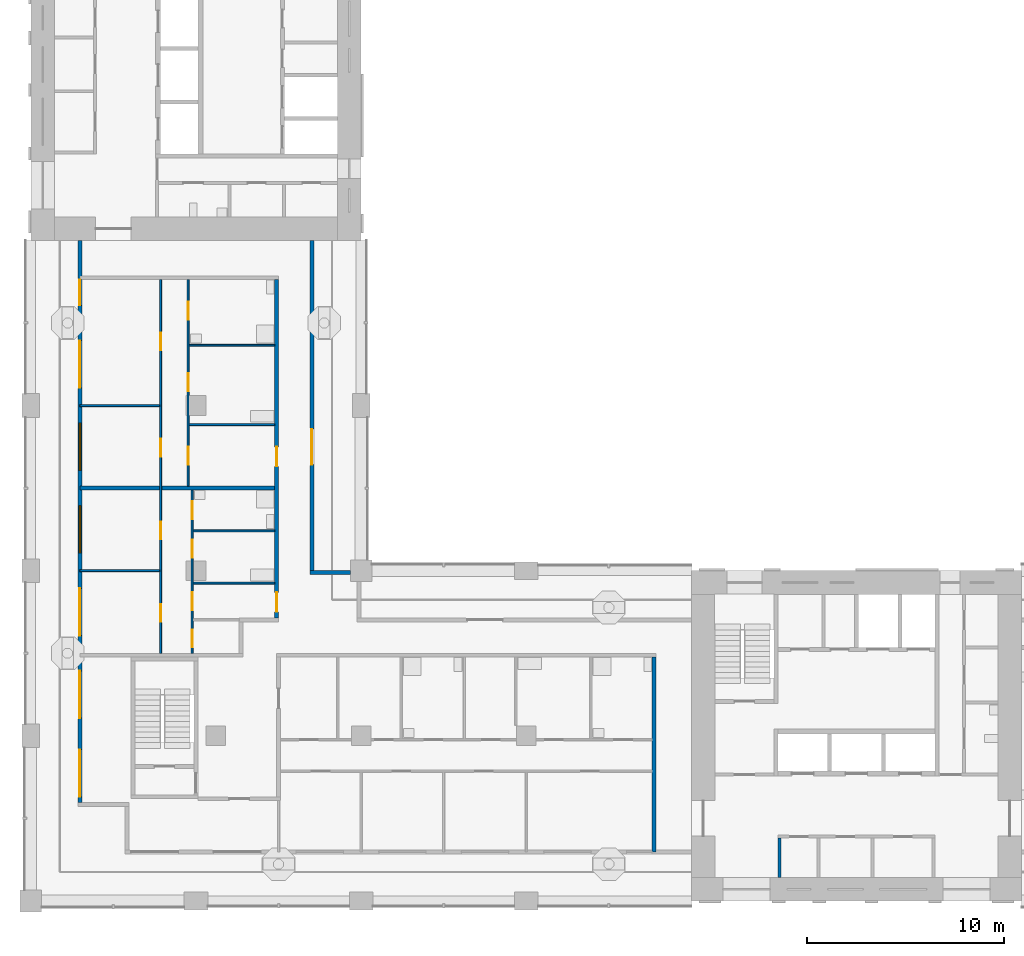
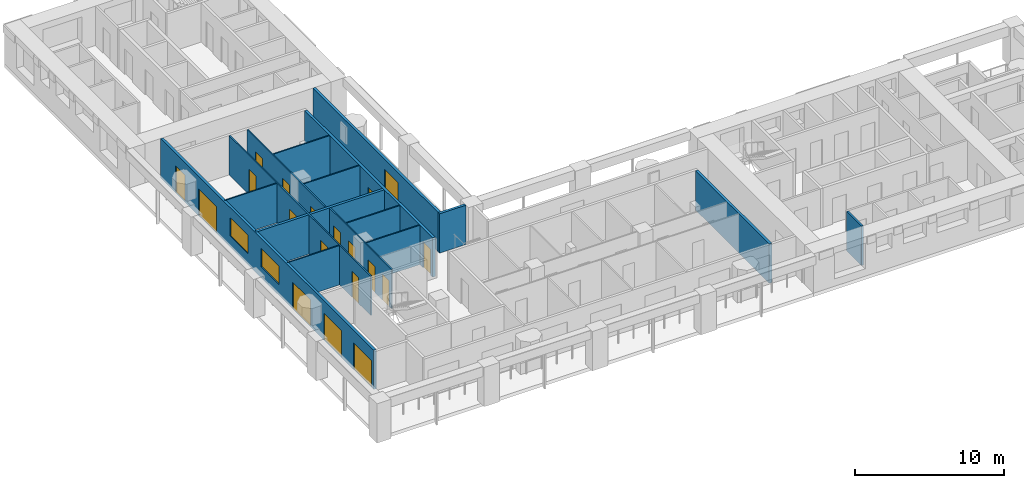
# One storey, part 3 of 13: 19 doors, 16 walls, 2 windows, 21 openings.
"""IFC4 building model written with IfcOpenShell, lengths in metres."""

from ifc_helpers import new_model, si_unit, direction, frame, frame_2d, origin, place, context, subcontext, project, spatial, rectangle, extrude, material, layer, layer_set, type_object, element, fill, save


model = new_model("IFC4")

# Units and contexts
model_context = context("Model", 3, precision=1e-05, world=origin(), true_north=direction((0.0, 1.0)))
body_context = subcontext(model_context, "Body", "Model", "MODEL_VIEW")
ifc_project = project(units=[si_unit("LENGTHUNIT", "METRE"), si_unit("AREAUNIT", "SQUARE_METRE"), si_unit("VOLUMEUNIT", "CUBIC_METRE"), si_unit("PLANEANGLEUNIT", "RADIAN"), si_unit("MASSUNIT", "GRAM", prefix="KILO")], contexts=[model_context])

# Site, building, storey
site_placement = place(None, origin())
site = spatial("IfcSite", under=ifc_project, at=site_placement, CompositionType="ELEMENT")
building_placement = place(site_placement, origin())
building = spatial("IfcBuilding", under=site, at=building_placement, Name="Vermilion Gate Residences", CompositionType="ELEMENT")
storey_placement = place(building_placement, frame((0.0, 0.0, 154.699951171875)))
storey = spatial("IfcBuildingStorey", under=building, at=storey_placement, Name="L39", CompositionType="ELEMENT", Elevation=154.699951171875)

# Wall
ifc_material_1 = material(Name="Masonry blockwork", Category="masonry")
ifc_layer_1 = layer(ifc_material_1, 0.14990234375)
ifc_layer_set_1 = layer_set([ifc_layer_1], Name="BLOCKWORK PARTITION 150 EI 120")
wall_type_1 = type_object("IfcWallType", Name="BLOCKWORK PARTITION 150 EI 120", PredefinedType="PARTITIONING", material=ifc_layer_set_1)
wall_1_placement = place(storey_placement, frame((46.47509765625, 9.60009765625, 0.0), z_axis=(0.0, 0.0, 1.0), x_axis=(0.0, 1.0, 0.0)))
element("IfcWall", 1, at=wall_1_placement, inside=storey, type_object=wall_type_1, Name="Core room partition A39-RW-W", PredefinedType="PARTITIONING", context=body_context, shape_type="SweptSolid", body=[
    extrude(rectangle(XDim=2.0, YDim=0.14990234375, at=frame_2d((1.0, 0.0))), origin(), (0.0, 0.0, 1.0), 3.219970703125),
])

# Wall, openings, doors, windows
ifc_material_2 = material(Name="Insulated steel stud wall with terracotta rainscreen", Category="masonry")
ifc_layer_2 = layer(ifc_material_2, 0.199951171875)
ifc_layer_set_2 = layer_set([ifc_layer_2], Name="EXTERNAL WALL 200 TERRACOTTA RAINSCREEN")
wall_type_2 = type_object("IfcWallType", Name="EXTERNAL WALL 200 TERRACOTTA RAINSCREEN", PredefinedType="SOLIDWALL", material=ifc_layer_set_2)
wall_2_placement = place(storey_placement, frame((10.89990234375, 42.0, 0.0), z_axis=(0.0, 0.0, 1.0), x_axis=(0.0, -1.0, 0.0)))
wall_2 = element("IfcWall", 2, at=wall_2_placement, inside=storey, type_object=wall_type_2, Name="External wall", PredefinedType="SOLIDWALL", context=body_context, shape_type="SweptSolid", body=[
    extrude(rectangle(XDim=28.60009765625, YDim=0.199951171875, at=frame_2d((14.300048828125, 0.0))), origin(), (0.0, 0.0, 1.0), 3.219970703125),
])
opening_1_placement = place(wall_2_placement, frame((25.89990234375, 0.0, 0.0)))
opening_1 = element("IfcOpeningElement", 3, at=opening_1_placement, cuts=wall_2, Name="Opening DE39001", PredefinedType="OPENING", context=body_context, shape_type="SweptSolid", body=[
    extrude(rectangle(XDim=2.39990234375, YDim=2.199951171875, at=frame_2d((1.199951171875, 1.10009765625))), frame((0.0, 0.10986328125, 0.0), z_axis=(0.0, -1.0, 0.0), x_axis=(1.0, 0.0, 0.0)), (0.0, 0.0, 1.0), 0.219970703125),
])
opening_2_placement = place(wall_2_placement, frame((21.89990234375, 0.0, 0.0)))
opening_2 = element("IfcOpeningElement", 4, at=opening_2_placement, cuts=wall_2, Name="Opening DE39002", PredefinedType="OPENING", context=body_context, shape_type="SweptSolid", body=[
    extrude(rectangle(XDim=2.39990234375, YDim=2.199951171875, at=frame_2d((1.199951171875, 1.10009765625))), frame((0.0, 0.10986328125, 0.0), z_axis=(0.0, -1.0, 0.0), x_axis=(1.0, 0.0, 0.0)), (0.0, 0.0, 1.0), 0.219970703125),
])
opening_3_placement = place(wall_2_placement, frame((17.699951171875, 0.0, 0.0)))
opening_3 = element("IfcOpeningElement", 5, at=opening_3_placement, cuts=wall_2, Name="Opening DE39003", PredefinedType="OPENING", context=body_context, shape_type="SweptSolid", body=[
    extrude(rectangle(XDim=2.39990234375, YDim=2.199951171875, at=frame_2d((1.199951171875, 1.10009765625))), frame((0.0, 0.10986328125, 0.0), z_axis=(0.0, -1.0, 0.0), x_axis=(1.0, 0.0, 0.0)), (0.0, 0.0, 1.0), 0.219970703125),
])
opening_4_placement = place(wall_2_placement, frame((13.5, 0.0, 0.89990234375)))
opening_4 = element("IfcOpeningElement", 6, at=opening_4_placement, cuts=wall_2, Name="Opening WE39004", PredefinedType="OPENING", context=body_context, shape_type="SweptSolid", body=[
    extrude(rectangle(XDim=2.39990234375, YDim=1.5, at=frame_2d((1.199951171875, 0.75))), frame((0.0, 0.10986328125, 0.0), z_axis=(0.0, -1.0, 0.0), x_axis=(1.0, 0.0, 0.0)), (0.0, 0.0, 1.0), 0.219970703125),
])
opening_5_placement = place(wall_2_placement, frame((9.300048828125, 0.0, 0.89990234375)))
opening_5 = element("IfcOpeningElement", 7, at=opening_5_placement, cuts=wall_2, Name="Opening WE39005", PredefinedType="OPENING", context=body_context, shape_type="SweptSolid", body=[
    extrude(rectangle(XDim=2.39990234375, YDim=1.5, at=frame_2d((1.199951171875, 0.75))), frame((0.0, 0.10986328125, 0.0), z_axis=(0.0, -1.0, 0.0), x_axis=(1.0, 0.0, 0.0)), (0.0, 0.0, 1.0), 0.219970703125),
])
opening_6_placement = place(wall_2_placement, frame((5.10009765625, 0.0, 0.0)))
opening_6 = element("IfcOpeningElement", 8, at=opening_6_placement, cuts=wall_2, Name="Opening DE39006", PredefinedType="OPENING", context=body_context, shape_type="SweptSolid", body=[
    extrude(rectangle(XDim=2.39990234375, YDim=2.199951171875, at=frame_2d((1.199951171875, 1.10009765625))), frame((0.0, 0.10986328125, 0.0), z_axis=(0.0, -1.0, 0.0), x_axis=(1.0, 0.0, 0.0)), (0.0, 0.0, 1.0), 0.219970703125),
])
opening_7_placement = place(wall_2_placement, frame((2.0, 0.0, 0.0)))
opening_7 = element("IfcOpeningElement", 9, at=opening_7_placement, cuts=wall_2, Name="Opening DE39007", PredefinedType="OPENING", context=body_context, shape_type="SweptSolid", body=[
    extrude(rectangle(XDim=1.300048828125, YDim=2.199951171875, at=frame_2d((0.64990234375, 1.10009765625))), frame((0.0, 0.10986328125, 0.0), z_axis=(0.0, -1.0, 0.0), x_axis=(1.0, 0.0, 0.0)), (0.0, 0.0, 1.0), 0.219970703125),
])
ifc_material_3 = material(Name="Aluminium and clear glass", Category="aluminium")
door_type_1 = type_object("IfcDoorType", Name="SLIDING GLAZED DOOR 1300 X 2200", OperationType="DOUBLE_DOOR_SLIDING", PredefinedType="DOOR", material=ifc_material_3)
door_1_placement = place(opening_7_placement, origin())
door_1 = element("IfcDoor", 10, at=door_1_placement, inside=storey, type_object=door_type_1, Name="Loggia sliding door", OperationType="DOUBLE_DOOR_SLIDING", OverallHeight=2.199951171875, OverallWidth=1.300048828125, PredefinedType="DOOR", context=body_context, shape_type="SweptSolid", body=[
    extrude(rectangle(XDim=1.300048828125, YDim=2.199951171875, at=frame_2d((0.64990234375, 1.10009765625))), frame((0.0, 0.02490234375, 0.0), z_axis=(0.0, -1.0, 0.0), x_axis=(1.0, 0.0, 0.0)), (0.0, 0.0, 1.0), 0.050048828125),
])
fill(opening_7, door_1)
ifc_material_4 = material(Name="Aluminium and clear glass", Category="aluminium")
door_type_2 = type_object("IfcDoorType", Name="SLIDING GLAZED DOOR 2400 X 2200", OperationType="DOUBLE_DOOR_SLIDING", PredefinedType="DOOR", material=ifc_material_4)
door_2_placement = place(opening_1_placement, origin())
door_2 = element("IfcDoor", 11, at=door_2_placement, inside=storey, type_object=door_type_2, Name="Loggia sliding door", OperationType="DOUBLE_DOOR_SLIDING", OverallHeight=2.199951171875, OverallWidth=2.39990234375, PredefinedType="DOOR", context=body_context, shape_type="SweptSolid", body=[
    extrude(rectangle(XDim=2.39990234375, YDim=2.199951171875, at=frame_2d((1.199951171875, 1.10009765625))), frame((0.0, 0.02490234375, 0.0), z_axis=(0.0, -1.0, 0.0), x_axis=(1.0, 0.0, 0.0)), (0.0, 0.0, 1.0), 0.050048828125),
])
fill(opening_1, door_2)
door_3_placement = place(opening_2_placement, origin())
door_3 = element("IfcDoor", 12, at=door_3_placement, inside=storey, type_object=door_type_2, Name="Loggia sliding door", OperationType="DOUBLE_DOOR_SLIDING", OverallHeight=2.199951171875, OverallWidth=2.39990234375, PredefinedType="DOOR", context=body_context, shape_type="SweptSolid", body=[
    extrude(rectangle(XDim=2.39990234375, YDim=2.199951171875, at=frame_2d((1.199951171875, 1.10009765625))), frame((0.0, 0.02490234375, 0.0), z_axis=(0.0, -1.0, 0.0), x_axis=(1.0, 0.0, 0.0)), (0.0, 0.0, 1.0), 0.050048828125),
])
fill(opening_2, door_3)
door_4_placement = place(opening_3_placement, origin())
door_4 = element("IfcDoor", 13, at=door_4_placement, inside=storey, type_object=door_type_2, Name="Loggia sliding door", OperationType="DOUBLE_DOOR_SLIDING", OverallHeight=2.199951171875, OverallWidth=2.39990234375, PredefinedType="DOOR", context=body_context, shape_type="SweptSolid", body=[
    extrude(rectangle(XDim=2.39990234375, YDim=2.199951171875, at=frame_2d((1.199951171875, 1.10009765625))), frame((0.0, 0.02490234375, 0.0), z_axis=(0.0, -1.0, 0.0), x_axis=(1.0, 0.0, 0.0)), (0.0, 0.0, 1.0), 0.050048828125),
])
fill(opening_3, door_4)
door_5_placement = place(opening_6_placement, origin())
door_5 = element("IfcDoor", 14, at=door_5_placement, inside=storey, type_object=door_type_2, Name="Loggia sliding door", OperationType="DOUBLE_DOOR_SLIDING", OverallHeight=2.199951171875, OverallWidth=2.39990234375, PredefinedType="DOOR", context=body_context, shape_type="SweptSolid", body=[
    extrude(rectangle(XDim=2.39990234375, YDim=2.199951171875, at=frame_2d((1.199951171875, 1.10009765625))), frame((0.0, 0.02490234375, 0.0), z_axis=(0.0, -1.0, 0.0), x_axis=(1.0, 0.0, 0.0)), (0.0, 0.0, 1.0), 0.050048828125),
])
fill(opening_6, door_5)
ifc_material_5 = material(Name="Aluminium and clear glass", Category="aluminium")
window_type = type_object("IfcWindowType", Name="WINDOW 2400 X 1500", PartitioningType="SINGLE_PANEL", PredefinedType="WINDOW", material=ifc_material_5)
window_1_placement = place(opening_4_placement, origin())
window_1 = element("IfcWindow", 15, at=window_1_placement, inside=storey, type_object=window_type, Name="Window", OverallHeight=1.5, OverallWidth=2.39990234375, PartitioningType="SINGLE_PANEL", PredefinedType="WINDOW", context=body_context, shape_type="SweptSolid", body=[
    extrude(rectangle(XDim=2.39990234375, YDim=1.5, at=frame_2d((1.199951171875, 0.75))), frame((0.0, 0.030029296875, 0.0), z_axis=(0.0, -1.0, 0.0), x_axis=(1.0, 0.0, 0.0)), (0.0, 0.0, 1.0), 0.06005859375),
])
fill(opening_4, window_1)
window_2_placement = place(opening_5_placement, origin())
window_2 = element("IfcWindow", 16, at=window_2_placement, inside=storey, type_object=window_type, Name="Window", OverallHeight=1.5, OverallWidth=2.39990234375, PartitioningType="SINGLE_PANEL", PredefinedType="WINDOW", context=body_context, shape_type="SweptSolid", body=[
    extrude(rectangle(XDim=2.39990234375, YDim=1.5, at=frame_2d((1.199951171875, 0.75))), frame((0.0, 0.030029296875, 0.0), z_axis=(0.0, -1.0, 0.0), x_axis=(1.0, 0.0, 0.0)), (0.0, 0.0, 1.0), 0.06005859375),
])
fill(opening_5, window_2)

# Wall
wall_3_placement = place(storey_placement, frame((24.64990234375, 25.10009765625, 0.0), z_axis=(0.0, 0.0, 1.0), x_axis=(-1.0, 0.0, 0.0)))
element("IfcWall", 17, at=wall_3_placement, inside=storey, type_object=wall_type_2, Name="External wall", PredefinedType="SOLIDWALL", context=body_context, shape_type="SweptSolid", body=[
    extrude(rectangle(XDim=2.0498046875, YDim=0.199951171875, at=frame_2d((1.02490234375, 0.0))), origin(), (0.0, 0.0, 1.0), 3.219970703125),
])

# Wall, opening, door
wall_4_placement = place(storey_placement, frame((22.699951171875, 25.199951171875, 0.0), z_axis=(0.0, 0.0, 1.0), x_axis=(0.0, 1.0, 0.0)))
wall_4 = element("IfcWall", 18, at=wall_4_placement, inside=storey, type_object=wall_type_2, Name="External wall", PredefinedType="SOLIDWALL", context=body_context, shape_type="SweptSolid", body=[
    extrude(rectangle(XDim=16.800048828125, YDim=0.199951171875, at=frame_2d((8.39990234375, 0.0))), origin(), (0.0, 0.0, 1.0), 3.219970703125),
])
opening_8_placement = place(wall_4_placement, frame((5.39990234375, 0.0, 0.0)))
opening_8 = element("IfcOpeningElement", 19, at=opening_8_placement, cuts=wall_4, Name="Opening DE39021", PredefinedType="OPENING", context=body_context, shape_type="SweptSolid", body=[
    extrude(rectangle(XDim=1.800048828125, YDim=2.39990234375, at=frame_2d((0.89990234375, 1.199951171875))), frame((0.0, 0.10986328125, 0.0), z_axis=(0.0, -1.0, 0.0), x_axis=(1.0, 0.0, 0.0)), (0.0, 0.0, 1.0), 0.219970703125),
])
ifc_material_6 = material(Name="Aluminium and clear glass", Category="aluminium")
door_type_3 = type_object("IfcDoorType", Name="GLAZED EXTERNAL DOOR 1800 X 2400", OperationType="DOUBLE_DOOR_SINGLE_SWING", PredefinedType="DOOR", material=ifc_material_6)
door_6_placement = place(opening_8_placement, frame((1.800048828125, 0.0, 0.0), z_axis=(0.0, 0.0, 1.0), x_axis=(-1.0, 0.0, 0.0)))
door_6 = element("IfcDoor", 20, at=door_6_placement, inside=storey, type_object=door_type_3, Name="Gallery door", OperationType="DOUBLE_DOOR_SINGLE_SWING", OverallHeight=2.39990234375, OverallWidth=1.800048828125, PredefinedType="DOOR", context=body_context, shape_type="SweptSolid", body=[
    extrude(rectangle(XDim=1.800048828125, YDim=2.39990234375, at=frame_2d((0.89990234375, 1.199951171875))), frame((0.0, 0.02490234375, 0.0), z_axis=(0.0, -1.0, 0.0), x_axis=(1.0, 0.0, 0.0)), (0.0, 0.0, 1.0), 0.050048828125),
])
fill(opening_8, door_6)

# Walls
ifc_material_7 = material(Name="Plasterboard on steel studs", Category="steel")
ifc_layer_3 = layer(ifc_material_7, 0.10009765625)
ifc_layer_set_3 = layer_set([ifc_layer_3], Name="PARTITION 100")
wall_type_3 = type_object("IfcWallType", Name="PARTITION 100", PredefinedType="PARTITIONING", material=ifc_layer_set_3)
wall_5_placement = place(storey_placement, frame((16.64990234375, 24.56298828125, 0.0), z_axis=(0.0, 0.0, 1.0), x_axis=(1.0, 0.0, 0.0)))
element("IfcWall", 21, at=wall_5_placement, inside=storey, type_object=wall_type_3, Name="Partition", PredefinedType="PARTITIONING", context=body_context, shape_type="SweptSolid", body=[
    extrude(rectangle(XDim=4.150146484375, YDim=0.10009765625, at=frame_2d((2.0751953125, 0.0))), origin(), (0.0, 0.0, 1.0), 3.219970703125),
])
wall_6_placement = place(storey_placement, frame((10.89990234375, 25.199951171875, 0.0), z_axis=(0.0, 0.0, 1.0), x_axis=(1.0, 0.0, 0.0)))
element("IfcWall", 22, at=wall_6_placement, inside=storey, type_object=wall_type_3, Name="Partition", PredefinedType="PARTITIONING", context=body_context, shape_type="SweptSolid", body=[
    extrude(rectangle(XDim=4.050048828125, YDim=0.10009765625, at=frame_2d((2.02490234375, 0.0))), origin(), (0.0, 0.0, 1.0), 3.219970703125),
])
wall_7_placement = place(storey_placement, frame((16.64990234375, 27.22509765625, 0.0), z_axis=(0.0, 0.0, 1.0), x_axis=(1.0, 0.0, 0.0)))
element("IfcWall", 23, at=wall_7_placement, inside=storey, type_object=wall_type_3, Name="Partition", PredefinedType="PARTITIONING", context=body_context, shape_type="SweptSolid", body=[
    extrude(rectangle(XDim=4.150146484375, YDim=0.10009765625, at=frame_2d((2.0751953125, 0.0))), origin(), (0.0, 0.0, 1.0), 3.219970703125),
])
wall_8_placement = place(storey_placement, frame((16.449951171875, 32.633056640625, 0.0), z_axis=(0.0, 0.0, 1.0), x_axis=(1.0, 0.0, 0.0)))
element("IfcWall", 24, at=wall_8_placement, inside=storey, type_object=wall_type_3, Name="Partition", PredefinedType="PARTITIONING", context=body_context, shape_type="SweptSolid", body=[
    extrude(rectangle(XDim=4.35009765625, YDim=0.10009765625, at=frame_2d((2.175048828125, 0.0))), origin(), (0.0, 0.0, 1.0), 3.219970703125),
])
wall_9_placement = place(storey_placement, frame((10.89990234375, 33.60009765625, 0.0), z_axis=(0.0, 0.0, 1.0), x_axis=(1.0, 0.0, 0.0)))
element("IfcWall", 25, at=wall_9_placement, inside=storey, type_object=wall_type_3, Name="Partition", PredefinedType="PARTITIONING", context=body_context, shape_type="SweptSolid", body=[
    extrude(rectangle(XDim=4.050048828125, YDim=0.10009765625, at=frame_2d((2.02490234375, 0.0))), origin(), (0.0, 0.0, 1.0), 3.219970703125),
])
wall_10_placement = place(storey_placement, frame((16.449951171875, 36.6669921875, 0.0), z_axis=(0.0, 0.0, 1.0), x_axis=(1.0, 0.0, 0.0)))
element("IfcWall", 26, at=wall_10_placement, inside=storey, type_object=wall_type_3, Name="Partition", PredefinedType="PARTITIONING", context=body_context, shape_type="SweptSolid", body=[
    extrude(rectangle(XDim=4.35009765625, YDim=0.10009765625, at=frame_2d((2.175048828125, 0.0))), origin(), (0.0, 0.0, 1.0), 3.219970703125),
])

# Wall, openings, doors
wall_11_placement = place(storey_placement, frame((15.0, 21.0, 0.0), z_axis=(0.0, 0.0, 1.0), x_axis=(0.0, 1.0, 0.0)))
wall_11 = element("IfcWall", 27, at=wall_11_placement, inside=storey, type_object=wall_type_3, Name="Partition", PredefinedType="PARTITIONING", context=body_context, shape_type="SweptSolid", body=[
    extrude(rectangle(XDim=19.0, YDim=0.10009765625, at=frame_2d((9.5, 0.0))), origin(), (0.0, 0.0, 1.0), 3.219970703125),
])
opening_9_placement = place(wall_11_placement, frame((1.60009765625, 0.0, 0.0)))
opening_9 = element("IfcOpeningElement", 28, at=opening_9_placement, cuts=wall_11, Name="Opening DA37012", PredefinedType="OPENING", context=body_context, shape_type="SweptSolid", body=[
    extrude(rectangle(XDim=0.89990234375, YDim=2.10009765625, at=frame_2d((0.449951171875, 1.050048828125))), frame((0.0, 0.06005859375, 0.0), z_axis=(0.0, -1.0, 0.0), x_axis=(1.0, 0.0, 0.0)), (0.0, 0.0, 1.0), 0.1201171875),
])
opening_10_placement = place(wall_11_placement, frame((5.800048828125, 0.0, 0.0)))
opening_10 = element("IfcOpeningElement", 29, at=opening_10_placement, cuts=wall_11, Name="Opening DA37013", PredefinedType="OPENING", context=body_context, shape_type="SweptSolid", body=[
    extrude(rectangle(XDim=0.89990234375, YDim=2.10009765625, at=frame_2d((0.449951171875, 1.050048828125))), frame((0.0, 0.06005859375, 0.0), z_axis=(0.0, -1.0, 0.0), x_axis=(1.0, 0.0, 0.0)), (0.0, 0.0, 1.0), 0.1201171875),
])
opening_11_placement = place(wall_11_placement, frame((10.0, 0.0, 0.0)))
opening_11 = element("IfcOpeningElement", 30, at=opening_11_placement, cuts=wall_11, Name="Opening DA37014", PredefinedType="OPENING", context=body_context, shape_type="SweptSolid", body=[
    extrude(rectangle(XDim=0.89990234375, YDim=2.10009765625, at=frame_2d((0.449951171875, 1.050048828125))), frame((0.0, 0.06005859375, 0.0), z_axis=(0.0, -1.0, 0.0), x_axis=(1.0, 0.0, 0.0)), (0.0, 0.0, 1.0), 0.1201171875),
])
opening_12_placement = place(wall_11_placement, frame((15.39990234375, 0.0, 0.0)))
opening_12 = element("IfcOpeningElement", 31, at=opening_12_placement, cuts=wall_11, Name="Opening DA37015", PredefinedType="OPENING", context=body_context, shape_type="SweptSolid", body=[
    extrude(rectangle(XDim=0.89990234375, YDim=2.10009765625, at=frame_2d((0.449951171875, 1.050048828125))), frame((0.0, 0.06005859375, 0.0), z_axis=(0.0, -1.0, 0.0), x_axis=(1.0, 0.0, 0.0)), (0.0, 0.0, 1.0), 0.1201171875),
])
ifc_material_8 = material(Name="Timber", Category="wood")
door_type_4 = type_object("IfcDoorType", Name="INTERIOR DOOR 900 X 2100", OperationType="SINGLE_SWING_LEFT", PredefinedType="DOOR", material=ifc_material_8)
door_7_placement = place(opening_9_placement, origin())
door_7 = element("IfcDoor", 32, at=door_7_placement, inside=storey, type_object=door_type_4, Name="Interior door", OperationType="SINGLE_SWING_LEFT", OverallHeight=2.10009765625, OverallWidth=0.89990234375, PredefinedType="DOOR", context=body_context, shape_type="SweptSolid", body=[
    extrude(rectangle(XDim=0.89990234375, YDim=2.10009765625, at=frame_2d((0.449951171875, 1.050048828125))), frame((0.0, 0.02490234375, 0.0), z_axis=(0.0, -1.0, 0.0), x_axis=(1.0, 0.0, 0.0)), (0.0, 0.0, 1.0), 0.050048828125),
])
fill(opening_9, door_7)
door_8_placement = place(opening_10_placement, origin())
door_8 = element("IfcDoor", 33, at=door_8_placement, inside=storey, type_object=door_type_4, Name="Interior door", OperationType="SINGLE_SWING_LEFT", OverallHeight=2.10009765625, OverallWidth=0.89990234375, PredefinedType="DOOR", context=body_context, shape_type="SweptSolid", body=[
    extrude(rectangle(XDim=0.89990234375, YDim=2.10009765625, at=frame_2d((0.449951171875, 1.050048828125))), frame((0.0, 0.02490234375, 0.0), z_axis=(0.0, -1.0, 0.0), x_axis=(1.0, 0.0, 0.0)), (0.0, 0.0, 1.0), 0.050048828125),
])
fill(opening_10, door_8)
door_9_placement = place(opening_11_placement, origin())
door_9 = element("IfcDoor", 34, at=door_9_placement, inside=storey, type_object=door_type_4, Name="Interior door", OperationType="SINGLE_SWING_LEFT", OverallHeight=2.10009765625, OverallWidth=0.89990234375, PredefinedType="DOOR", context=body_context, shape_type="SweptSolid", body=[
    extrude(rectangle(XDim=0.89990234375, YDim=2.10009765625, at=frame_2d((0.449951171875, 1.050048828125))), frame((0.0, 0.02490234375, 0.0), z_axis=(0.0, -1.0, 0.0), x_axis=(1.0, 0.0, 0.0)), (0.0, 0.0, 1.0), 0.050048828125),
])
fill(opening_11, door_9)
door_10_placement = place(opening_12_placement, origin())
door_10 = element("IfcDoor", 35, at=door_10_placement, inside=storey, type_object=door_type_4, Name="Interior door", OperationType="SINGLE_SWING_RIGHT", OverallHeight=2.10009765625, OverallWidth=0.89990234375, PredefinedType="DOOR", context=body_context, shape_type="SweptSolid", body=[
    extrude(rectangle(XDim=0.89990234375, YDim=2.10009765625, at=frame_2d((0.449951171875, 1.050048828125))), frame((0.0, 0.02490234375, 0.0), z_axis=(0.0, -1.0, 0.0), x_axis=(1.0, 0.0, 0.0)), (0.0, 0.0, 1.0), 0.050048828125),
])
fill(opening_12, door_10)

wall_12_placement = place(storey_placement, frame((16.39990234375, 29.5, 0.0), z_axis=(0.0, 0.0, 1.0), x_axis=(0.0, 1.0, 0.0)))
wall_12 = element("IfcWall", 36, at=wall_12_placement, inside=storey, type_object=wall_type_3, Name="Partition", PredefinedType="PARTITIONING", context=body_context, shape_type="SweptSolid", body=[
    extrude(rectangle(XDim=10.5, YDim=0.10009765625, at=frame_2d((5.25, 0.0))), origin(), (0.0, 0.0, 1.0), 3.219970703125),
])
opening_13_placement = place(wall_12_placement, frame((1.10009765625, 0.0, 0.0)))
opening_13 = element("IfcOpeningElement", 37, at=opening_13_placement, cuts=wall_12, Name="Opening DA37016", PredefinedType="OPENING", context=body_context, shape_type="SweptSolid", body=[
    extrude(rectangle(XDim=0.89990234375, YDim=2.10009765625, at=frame_2d((0.449951171875, 1.050048828125))), frame((0.0, 0.06005859375, 0.0), z_axis=(0.0, -1.0, 0.0), x_axis=(1.0, 0.0, 0.0)), (0.0, 0.0, 1.0), 0.1201171875),
])
opening_14_placement = place(wall_12_placement, frame((4.8330078125, 0.0, 0.0)))
opening_14 = element("IfcOpeningElement", 38, at=opening_14_placement, cuts=wall_12, Name="Opening DA37017", PredefinedType="OPENING", context=body_context, shape_type="SweptSolid", body=[
    extrude(rectangle(XDim=0.89990234375, YDim=2.10009765625, at=frame_2d((0.449951171875, 1.050048828125))), frame((0.0, 0.06005859375, 0.0), z_axis=(0.0, -1.0, 0.0), x_axis=(1.0, 0.0, 0.0)), (0.0, 0.0, 1.0), 0.1201171875),
])
opening_15_placement = place(wall_12_placement, frame((8.467041015625, 0.0, 0.0)))
opening_15 = element("IfcOpeningElement", 39, at=opening_15_placement, cuts=wall_12, Name="Opening DA37018", PredefinedType="OPENING", context=body_context, shape_type="SweptSolid", body=[
    extrude(rectangle(XDim=0.89990234375, YDim=2.10009765625, at=frame_2d((0.449951171875, 1.050048828125))), frame((0.0, 0.06005859375, 0.0), z_axis=(0.0, -1.0, 0.0), x_axis=(1.0, 0.0, 0.0)), (0.0, 0.0, 1.0), 0.1201171875),
])
door_11_placement = place(opening_13_placement, frame((0.89990234375, 0.0, 0.0), z_axis=(0.0, 0.0, 1.0), x_axis=(-1.0, 0.0, 0.0)))
door_11 = element("IfcDoor", 40, at=door_11_placement, inside=storey, type_object=door_type_4, Name="Interior door", OperationType="SINGLE_SWING_LEFT", OverallHeight=2.10009765625, OverallWidth=0.89990234375, PredefinedType="DOOR", context=body_context, shape_type="SweptSolid", body=[
    extrude(rectangle(XDim=0.89990234375, YDim=2.10009765625, at=frame_2d((0.449951171875, 1.050048828125))), frame((0.0, 0.02490234375, 0.0), z_axis=(0.0, -1.0, 0.0), x_axis=(1.0, 0.0, 0.0)), (0.0, 0.0, 1.0), 0.050048828125),
])
fill(opening_13, door_11)
door_12_placement = place(opening_14_placement, frame((0.89990234375, 0.0, 0.0), z_axis=(0.0, 0.0, 1.0), x_axis=(-1.0, 0.0, 0.0)))
door_12 = element("IfcDoor", 41, at=door_12_placement, inside=storey, type_object=door_type_4, Name="Interior door", OperationType="SINGLE_SWING_RIGHT", OverallHeight=2.10009765625, OverallWidth=0.89990234375, PredefinedType="DOOR", context=body_context, shape_type="SweptSolid", body=[
    extrude(rectangle(XDim=0.89990234375, YDim=2.10009765625, at=frame_2d((0.449951171875, 1.050048828125))), frame((0.0, 0.02490234375, 0.0), z_axis=(0.0, -1.0, 0.0), x_axis=(1.0, 0.0, 0.0)), (0.0, 0.0, 1.0), 0.050048828125),
])
fill(opening_14, door_12)
door_13_placement = place(opening_15_placement, frame((0.89990234375, 0.0, 0.0), z_axis=(0.0, 0.0, 1.0), x_axis=(-1.0, 0.0, 0.0)))
door_13 = element("IfcDoor", 42, at=door_13_placement, inside=storey, type_object=door_type_4, Name="Interior door", OperationType="SINGLE_SWING_RIGHT", OverallHeight=2.10009765625, OverallWidth=0.89990234375, PredefinedType="DOOR", context=body_context, shape_type="SweptSolid", body=[
    extrude(rectangle(XDim=0.89990234375, YDim=2.10009765625, at=frame_2d((0.449951171875, 1.050048828125))), frame((0.0, 0.02490234375, 0.0), z_axis=(0.0, -1.0, 0.0), x_axis=(1.0, 0.0, 0.0)), (0.0, 0.0, 1.0), 0.050048828125),
])
fill(opening_15, door_13)

wall_13_placement = place(storey_placement, frame((16.60009765625, 21.0, 0.0), z_axis=(0.0, 0.0, 1.0), x_axis=(0.0, 1.0, 0.0)))
wall_13 = element("IfcWall", 43, at=wall_13_placement, inside=storey, type_object=wall_type_3, Name="Partition", PredefinedType="PARTITIONING", context=body_context, shape_type="SweptSolid", body=[
    extrude(rectangle(XDim=8.300048828125, YDim=0.10009765625, at=frame_2d((4.14990234375, 0.0))), origin(), (0.0, 0.0, 1.0), 3.219970703125),
])
opening_16_placement = place(wall_13_placement, frame((2.199951171875, 0.0, 0.0)))
opening_16 = element("IfcOpeningElement", 44, at=opening_16_placement, cuts=wall_13, Name="Opening DA37019", PredefinedType="OPENING", context=body_context, shape_type="SweptSolid", body=[
    extrude(rectangle(XDim=0.89990234375, YDim=2.10009765625, at=frame_2d((0.449951171875, 1.050048828125))), frame((0.0, 0.06005859375, 0.0), z_axis=(0.0, -1.0, 0.0), x_axis=(1.0, 0.0, 0.0)), (0.0, 0.0, 1.0), 0.1201171875),
])
opening_17_placement = place(wall_13_placement, frame((0.300048828125, 0.0, 0.0)))
opening_17 = element("IfcOpeningElement", 45, at=opening_17_placement, cuts=wall_13, Name="Opening DA37020", PredefinedType="OPENING", context=body_context, shape_type="SweptSolid", body=[
    extrude(rectangle(XDim=0.89990234375, YDim=2.10009765625, at=frame_2d((0.449951171875, 1.050048828125))), frame((0.0, 0.06005859375, 0.0), z_axis=(0.0, -1.0, 0.0), x_axis=(1.0, 0.0, 0.0)), (0.0, 0.0, 1.0), 0.1201171875),
])
opening_18_placement = place(wall_13_placement, frame((4.863037109375, 0.0, 0.0)))
opening_18 = element("IfcOpeningElement", 46, at=opening_18_placement, cuts=wall_13, Name="Opening DA37021", PredefinedType="OPENING", context=body_context, shape_type="SweptSolid", body=[
    extrude(rectangle(XDim=0.89990234375, YDim=2.10009765625, at=frame_2d((0.449951171875, 1.050048828125))), frame((0.0, 0.06005859375, 0.0), z_axis=(0.0, -1.0, 0.0), x_axis=(1.0, 0.0, 0.0)), (0.0, 0.0, 1.0), 0.1201171875),
])
opening_19_placement = place(wall_13_placement, frame((6.824951171875, 0.0, 0.0)))
opening_19 = element("IfcOpeningElement", 47, at=opening_19_placement, cuts=wall_13, Name="Opening DA37022", PredefinedType="OPENING", context=body_context, shape_type="SweptSolid", body=[
    extrude(rectangle(XDim=0.89990234375, YDim=2.10009765625, at=frame_2d((0.449951171875, 1.050048828125))), frame((0.0, 0.06005859375, 0.0), z_axis=(0.0, -1.0, 0.0), x_axis=(1.0, 0.0, 0.0)), (0.0, 0.0, 1.0), 0.1201171875),
])
door_14_placement = place(opening_16_placement, frame((0.89990234375, 0.0, 0.0), z_axis=(0.0, 0.0, 1.0), x_axis=(-1.0, 0.0, 0.0)))
door_14 = element("IfcDoor", 48, at=door_14_placement, inside=storey, type_object=door_type_4, Name="Interior door", OperationType="SINGLE_SWING_LEFT", OverallHeight=2.10009765625, OverallWidth=0.89990234375, PredefinedType="DOOR", context=body_context, shape_type="SweptSolid", body=[
    extrude(rectangle(XDim=0.89990234375, YDim=2.10009765625, at=frame_2d((0.449951171875, 1.050048828125))), frame((0.0, 0.02490234375, 0.0), z_axis=(0.0, -1.0, 0.0), x_axis=(1.0, 0.0, 0.0)), (0.0, 0.0, 1.0), 0.050048828125),
])
fill(opening_16, door_14)
door_15_placement = place(opening_17_placement, frame((0.89990234375, 0.0, 0.0), z_axis=(0.0, 0.0, 1.0), x_axis=(-1.0, 0.0, 0.0)))
door_15 = element("IfcDoor", 49, at=door_15_placement, inside=storey, type_object=door_type_4, Name="Interior door", OperationType="SINGLE_SWING_RIGHT", OverallHeight=2.10009765625, OverallWidth=0.89990234375, PredefinedType="DOOR", context=body_context, shape_type="SweptSolid", body=[
    extrude(rectangle(XDim=0.89990234375, YDim=2.10009765625, at=frame_2d((0.449951171875, 1.050048828125))), frame((0.0, 0.02490234375, 0.0), z_axis=(0.0, -1.0, 0.0), x_axis=(1.0, 0.0, 0.0)), (0.0, 0.0, 1.0), 0.050048828125),
])
fill(opening_17, door_15)
door_16_placement = place(opening_18_placement, frame((0.89990234375, 0.0, 0.0), z_axis=(0.0, 0.0, 1.0), x_axis=(-1.0, 0.0, 0.0)))
door_16 = element("IfcDoor", 50, at=door_16_placement, inside=storey, type_object=door_type_4, Name="Interior door", OperationType="SINGLE_SWING_RIGHT", OverallHeight=2.10009765625, OverallWidth=0.89990234375, PredefinedType="DOOR", context=body_context, shape_type="SweptSolid", body=[
    extrude(rectangle(XDim=0.89990234375, YDim=2.10009765625, at=frame_2d((0.449951171875, 1.050048828125))), frame((0.0, 0.02490234375, 0.0), z_axis=(0.0, -1.0, 0.0), x_axis=(1.0, 0.0, 0.0)), (0.0, 0.0, 1.0), 0.050048828125),
])
fill(opening_18, door_16)
door_17_placement = place(opening_19_placement, frame((0.89990234375, 0.0, 0.0), z_axis=(0.0, 0.0, 1.0), x_axis=(-1.0, 0.0, 0.0)))
door_17 = element("IfcDoor", 51, at=door_17_placement, inside=storey, type_object=door_type_4, Name="Interior door", OperationType="SINGLE_SWING_LEFT", OverallHeight=2.10009765625, OverallWidth=0.89990234375, PredefinedType="DOOR", context=body_context, shape_type="SweptSolid", body=[
    extrude(rectangle(XDim=0.89990234375, YDim=2.10009765625, at=frame_2d((0.449951171875, 1.050048828125))), frame((0.0, 0.02490234375, 0.0), z_axis=(0.0, -1.0, 0.0), x_axis=(1.0, 0.0, 0.0)), (0.0, 0.0, 1.0), 0.050048828125),
])
fill(opening_19, door_17)

# Wall
ifc_material_9 = material(Name="Fire-rated plasterboard on steel studs", Category="steel")
ifc_layer_4 = layer(ifc_material_9, 0.199951171875)
ifc_layer_set_4 = layer_set([ifc_layer_4], Name="PARTY WALL 200 EI 120")
wall_type_4 = type_object("IfcWallType", Name="PARTY WALL 200 EI 120", PredefinedType="PARTITIONING", material=ifc_layer_set_4)
wall_14_placement = place(storey_placement, frame((10.89990234375, 29.39990234375, 0.0), z_axis=(0.0, 0.0, 1.0), x_axis=(1.0, 0.0, 0.0)))
element("IfcWall", 52, at=wall_14_placement, inside=storey, type_object=wall_type_4, Name="Party and corridor wall", PredefinedType="PARTITIONING", context=body_context, shape_type="SweptSolid", body=[
    extrude(rectangle(XDim=9.900146484375, YDim=0.199951171875, at=frame_2d((4.9501953125, 0.0))), origin(), (0.0, 0.0, 1.0), 3.219970703125),
])

# Wall, openings, doors
wall_15_placement = place(storey_placement, frame((20.89990234375, 22.800048828125, 0.0), z_axis=(0.0, 0.0, 1.0), x_axis=(0.0, 1.0, 0.0)))
wall_15 = element("IfcWall", 53, at=wall_15_placement, inside=storey, type_object=wall_type_4, Name="Party and corridor wall", PredefinedType="PARTITIONING", context=body_context, shape_type="SweptSolid", body=[
    extrude(rectangle(XDim=17.199951171875, YDim=0.199951171875, at=frame_2d((8.60009765625, 0.0))), origin(), (0.0, 0.0, 1.0), 3.219970703125),
])
opening_20_placement = place(wall_15_placement, frame((0.300048828125, 0.0, 0.0)))
opening_20 = element("IfcOpeningElement", 54, at=opening_20_placement, cuts=wall_15, Name="Opening DA37023", PredefinedType="OPENING", context=body_context, shape_type="SweptSolid", body=[
    extrude(rectangle(XDim=1.0, YDim=2.10009765625, at=frame_2d((0.5, 1.050048828125))), frame((0.0, 0.10986328125, 0.0), z_axis=(0.0, -1.0, 0.0), x_axis=(1.0, 0.0, 0.0)), (0.0, 0.0, 1.0), 0.219970703125),
])
opening_21_placement = place(wall_15_placement, frame((7.699951171875, 0.0, 0.0)))
opening_21 = element("IfcOpeningElement", 55, at=opening_21_placement, cuts=wall_15, Name="Opening DA37024", PredefinedType="OPENING", context=body_context, shape_type="SweptSolid", body=[
    extrude(rectangle(XDim=1.0, YDim=2.10009765625, at=frame_2d((0.5, 1.050048828125))), frame((0.0, 0.10986328125, 0.0), z_axis=(0.0, -1.0, 0.0), x_axis=(1.0, 0.0, 0.0)), (0.0, 0.0, 1.0), 0.219970703125),
])
ifc_material_10 = material(Name="Steel", Category="steel")
door_type_5 = type_object("IfcDoorType", Name="ENTRANCE DOOR 1000 X 2100 FD30", OperationType="SINGLE_SWING_LEFT", PredefinedType="DOOR", material=ifc_material_10)
door_18_placement = place(opening_20_placement, origin())
door_18 = element("IfcDoor", 56, at=door_18_placement, inside=storey, type_object=door_type_5, Name="Entrance door", OperationType="SINGLE_SWING_LEFT", OverallHeight=2.10009765625, OverallWidth=1.0, PredefinedType="DOOR", context=body_context, shape_type="SweptSolid", body=[
    extrude(rectangle(XDim=1.0, YDim=2.10009765625, at=frame_2d((0.5, 1.050048828125))), frame((0.0, 0.02490234375, 0.0), z_axis=(0.0, -1.0, 0.0), x_axis=(1.0, 0.0, 0.0)), (0.0, 0.0, 1.0), 0.050048828125),
])
fill(opening_20, door_18)
door_19_placement = place(opening_21_placement, origin())
door_19 = element("IfcDoor", 57, at=door_19_placement, inside=storey, type_object=door_type_5, Name="Entrance door", OperationType="SINGLE_SWING_LEFT", OverallHeight=2.10009765625, OverallWidth=1.0, PredefinedType="DOOR", context=body_context, shape_type="SweptSolid", body=[
    extrude(rectangle(XDim=1.0, YDim=2.10009765625, at=frame_2d((0.5, 1.050048828125))), frame((0.0, 0.02490234375, 0.0), z_axis=(0.0, -1.0, 0.0), x_axis=(1.0, 0.0, 0.0)), (0.0, 0.0, 1.0), 0.050048828125),
])
fill(opening_21, door_19)

# Wall
wall_16_placement = place(storey_placement, frame((40.10009765625, 10.89990234375, 0.0), z_axis=(0.0, 0.0, 1.0), x_axis=(0.0, 1.0, 0.0)))
element("IfcWall", 58, at=wall_16_placement, inside=storey, type_object=wall_type_4, Name="Party and corridor wall", PredefinedType="PARTITIONING", context=body_context, shape_type="SweptSolid", body=[
    extrude(rectangle(XDim=9.900146484375, YDim=0.199951171875, at=frame_2d((4.9501953125, 0.0))), origin(), (0.0, 0.0, 1.0), 3.219970703125),
])

save(model, "model.ifc")
